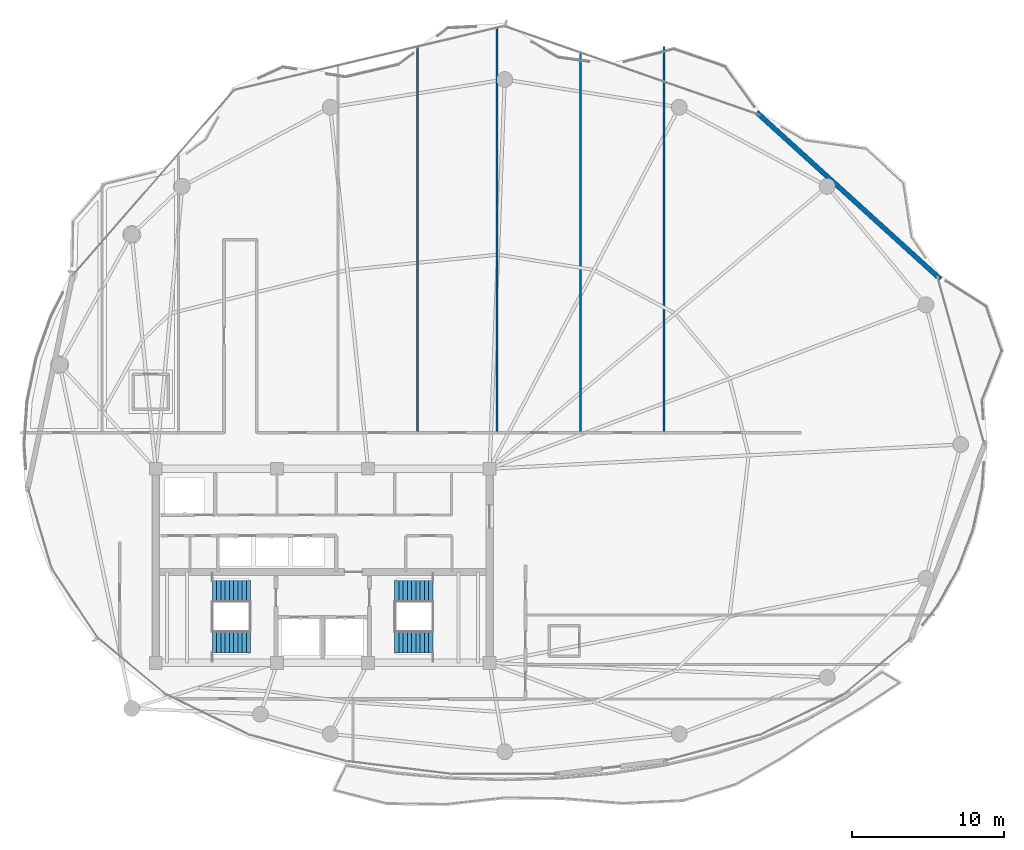
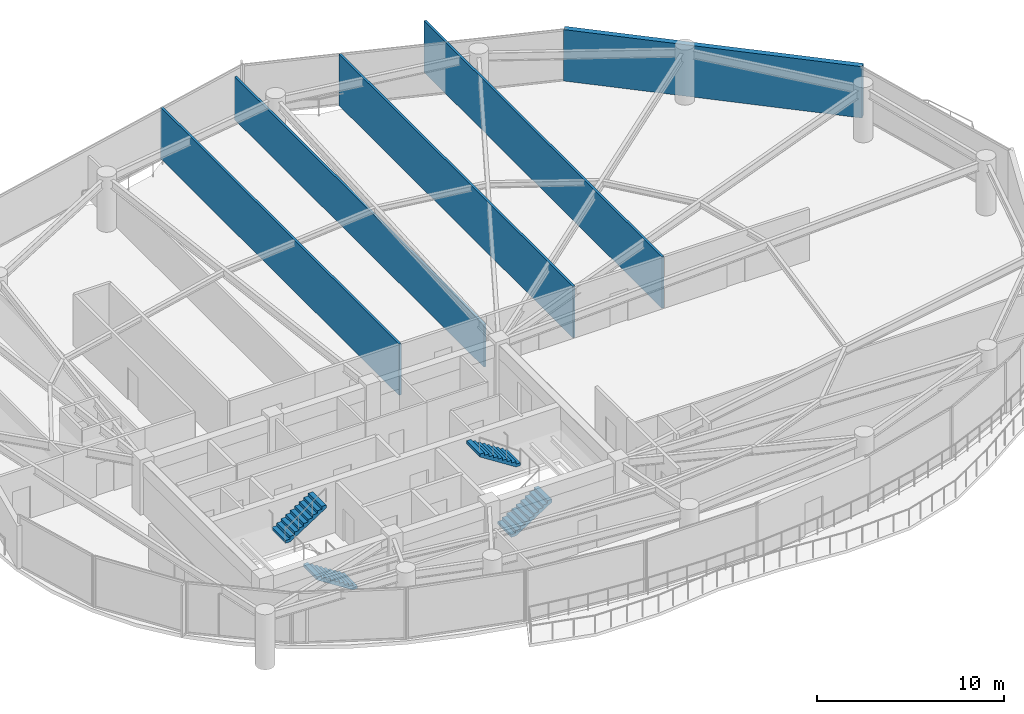
# One storey, part 25 of 29: 5 walls, 4 stair flights, 2 elements without a shape of their own.
"""IFC4 building model written with IfcOpenShell, lengths in metres."""

from ifc_helpers import new_model, si_unit, direction, frame, frame_2d, origin, place, context, subcontext, project, spatial, polyline, rectangle, outline, extrude, material, layer, layer_set, type_object, element, aggregate, save


model = new_model("IFC4")

# Units and contexts
model_context = context("Model", 3, precision=1e-05, world=origin(), true_north=direction((0.0, 1.0)))
body_context = subcontext(model_context, "Body", "Model", "MODEL_VIEW")
ifc_project = project(units=[si_unit("LENGTHUNIT", "METRE"), si_unit("AREAUNIT", "SQUARE_METRE"), si_unit("VOLUMEUNIT", "CUBIC_METRE"), si_unit("PLANEANGLEUNIT", "RADIAN"), si_unit("MASSUNIT", "GRAM", prefix="KILO")], contexts=[model_context])

# Site, building, storey
site_placement = place(None, origin())
site = spatial("IfcSite", under=ifc_project, at=site_placement, CompositionType="ELEMENT")
building_placement = place(site_placement, origin())
building = spatial("IfcBuilding", under=site, at=building_placement, Name="Kazevale Care Tower and Concert Hall", CompositionType="ELEMENT")
storey_placement = place(building_placement, frame((0.0, 0.0, 213.60009765625)))
storey = spatial("IfcBuildingStorey", under=building, at=storey_placement, Name="L56", CompositionType="ELEMENT", Elevation=213.60009765625)

# Walls
ifc_material_1 = material(Name="Acoustic Gypsum on Steel Stud", Category="steel")
ifc_layer_1 = layer(ifc_material_1, 0.139892578125)
ifc_layer_set_1 = layer_set([ifc_layer_1], Name="Acoustic Gypsum on Steel Stud")
wall_type_1 = type_object("IfcWallType", Name="Acoustic Care & Suite Partition 140", PredefinedType="PARTITIONING", material=ifc_layer_set_1)
wall_1_placement = place(storey_placement, frame((39.25, 64.283935546875, 0.0), z_axis=(0.0, 0.0, 1.0), x_axis=(0.0, -1.0, 0.0)))
element("IfcWall", 1, at=wall_1_placement, inside=storey, type_object=wall_type_1, Name="wall:L56:auto_023", PredefinedType="PARTITIONING", context=body_context, shape_type="SweptSolid", body=[
    extrude(rectangle(XDim=25.538818359375, YDim=0.139892578125, at=frame_2d((12.76953125, 0.0))), origin(), (0.0, 0.0, 1.0), 3.35986328125),
])
wall_2_placement = place(storey_placement, frame((44.5, 65.450439453125, 0.0), z_axis=(0.0, 0.0, 1.0), x_axis=(0.0, -1.0, 0.0)))
element("IfcWall", 2, at=wall_2_placement, inside=storey, type_object=wall_type_1, Name="wall:L56:auto_024", PredefinedType="PARTITIONING", context=body_context, shape_type="SweptSolid", body=[
    extrude(rectangle(XDim=26.705322265625, YDim=0.139892578125, at=frame_2d((13.3525390625, 0.0))), origin(), (0.0, 0.0, 1.0), 2.805908203125),
])
wall_3_placement = place(storey_placement, frame((50.0, 63.802490234375, 0.0), z_axis=(0.0, 0.0, 1.0), x_axis=(0.0, -1.0, 0.0)))
element("IfcWall", 3, at=wall_3_placement, inside=storey, type_object=wall_type_1, Name="wall:L56:auto_025", PredefinedType="PARTITIONING", context=body_context, shape_type="SweptSolid", body=[
    extrude(rectangle(XDim=25.057373046875, YDim=0.139892578125, at=frame_2d((12.52880859375, 0.0))), origin(), (0.0, 0.0, 1.0), 3.35986328125),
])
wall_4_placement = place(storey_placement, frame((55.5, 64.221923828125, 0.0), z_axis=(0.0, 0.0, 1.0), x_axis=(0.0, -1.0, 0.0)))
element("IfcWall", 4, at=wall_4_placement, inside=storey, type_object=wall_type_1, Name="wall:L56:auto_026", PredefinedType="PARTITIONING", context=body_context, shape_type="SweptSolid", body=[
    extrude(rectangle(XDim=25.476806640625, YDim=0.139892578125, at=frame_2d((12.73828125, 0.0))), origin(), (0.0, 0.0, 1.0), 3.35986328125),
])
ifc_material_2 = material(Name="Concrete C40 with Honed Limestone Cladding", Category="masonry")
ifc_layer_2 = layer(ifc_material_2, 0.320068359375)
ifc_layer_set_2 = layer_set([ifc_layer_2], Name="Concrete C40 with Honed Limestone Cladding")
wall_type_2 = type_object("IfcWallType", Name="Tower Honed Limestone Spandrel Wall 320", PredefinedType="STANDARD", material=ifc_layer_set_2)
wall_5_placement = place(storey_placement, frame((61.60205078125, 59.884033203125, 0.0), z_axis=(0.0, 0.0, 1.0), x_axis=(0.740416582554, -0.672148260638, 0.0)))
element("IfcWall", 5, at=wall_5_placement, inside=storey, type_object=wall_type_2, Name="wall:cw:L56:f17", PredefinedType="STANDARD", context=body_context, shape_type="SweptSolid", body=[
    extrude(rectangle(XDim=16.361083984375, YDim=0.320068359375, at=frame_2d((8.1806640625, 0.0))), origin(), (0.0, 0.0, 1.0), 3.35986328125),
])

# Stair, stair flights
ifc_material_3 = material(Name="Concrete C40", Category="concrete")
stair_type = type_object("IfcStairType", Name="Exit Stair Assembly ST1-Z3", PredefinedType="HALF_TURN_STAIR", material=ifc_material_3)
stair_1_placement = place(storey_placement, origin())
stair_1 = element("IfcStair", 6, at=stair_1_placement, inside=storey, type_object=stair_type, Name="stair:L56:ST1", PredefinedType="HALF_TURN_STAIR")
ifc_layer_3 = layer(ifc_material_3, 0.159912109375)
ifc_layer_set_3 = layer_set([ifc_layer_3], Name="Concrete C40")
stair_flight_type = type_object("IfcStairFlightType", Name="Exit Stair Flight ST1-Z3", PredefinedType="STRAIGHT", material=ifc_layer_set_3)
stair_flight_1_placement = place(storey_placement, frame((28.25, 24.97509765625, 0.0), z_axis=(0.0, 0.0, 1.0), x_axis=(-1.0, 0.0, 0.0)))
stair_flight_1 = element("IfcStairFlight", 7, at=stair_flight_1_placement, type_object=stair_flight_type, Name="ST1-Z3 flight 1", NumberOfRisers=10, NumberOfTreads=9, PredefinedType="STRAIGHT", RiserHeight=0.18, TreadLength=0.28, context=body_context, shape_type="SweptSolid", body=[
    extrude(outline(polyline([(0.0, 0.0), (0.0, 0.179931640625), (0.280029296875, 0.179931640625), (0.280029296875, 0.360107421875), (0.56005859375, 0.360107421875), (0.56005859375, 0.5400390625), (0.840087890625, 0.5400390625), (0.840087890625, 0.719970703125), (1.1201171875, 0.719970703125), (1.1201171875, 0.89990234375), (1.39990234375, 0.89990234375), (1.39990234375, 1.080078125), (1.679931640625, 1.080078125), (1.679931640625, 1.260009765625), (1.9599609375, 1.260009765625), (1.9599609375, 1.43994140625), (2.239990234375, 1.43994140625), (2.239990234375, 1.6201171875), (2.52001953125, 1.6201171875), (2.52001953125, 1.800048828125), (2.52001953125, 1.429931640625), (0.295654296875, 0.0), (0.0, 0.0)])), frame((0.0, 0.72509765625, 0.0), z_axis=(0.0, -1.0, 0.0), x_axis=(1.0, 0.0, 0.0)), (0.0, 0.0, 1.0), 1.449951171875),
])
stair_flight_2_placement = place(storey_placement, frame((25.72998046875, 28.324951171875, 1.7998046875), z_axis=(0.0, 0.0, 1.0), x_axis=(1.0, 0.0, 0.0)))
stair_flight_2 = element("IfcStairFlight", 8, at=stair_flight_2_placement, type_object=stair_flight_type, Name="ST1-Z3 flight 2", NumberOfRisers=10, NumberOfTreads=9, PredefinedType="STRAIGHT", RiserHeight=0.18, TreadLength=0.28, context=body_context, shape_type="SweptSolid", body=[
    extrude(outline(polyline([(0.0, 0.0), (0.0, 0.179931640625), (0.280029296875, 0.179931640625), (0.280029296875, 0.360107421875), (0.56005859375, 0.360107421875), (0.56005859375, 0.5400390625), (0.840087890625, 0.5400390625), (0.840087890625, 0.719970703125), (1.1201171875, 0.719970703125), (1.1201171875, 0.89990234375), (1.39990234375, 0.89990234375), (1.39990234375, 1.080078125), (1.679931640625, 1.080078125), (1.679931640625, 1.260009765625), (1.9599609375, 1.260009765625), (1.9599609375, 1.43994140625), (2.239990234375, 1.43994140625), (2.239990234375, 1.6201171875), (2.52001953125, 1.6201171875), (2.52001953125, 1.800048828125), (2.52001953125, 1.429931640625), (0.295654296875, 0.0), (0.0, 0.0)])), frame((0.0, 0.72509765625, 0.0), z_axis=(0.0, -1.0, 0.0), x_axis=(1.0, 0.0, 0.0)), (0.0, 0.0, 1.0), 1.449951171875),
])
aggregate(stair_1, [stair_flight_1, stair_flight_2])

stair_2_placement = place(storey_placement, origin())
stair_2 = element("IfcStair", 9, at=stair_2_placement, inside=storey, type_object=stair_type, Name="stair:L56:ST2", PredefinedType="HALF_TURN_STAIR")
stair_flight_3_placement = place(storey_placement, frame((37.75, 24.97509765625, 0.0), z_axis=(0.0, 0.0, 1.0), x_axis=(1.0, 0.0, 0.0)))
stair_flight_3 = element("IfcStairFlight", 10, at=stair_flight_3_placement, type_object=stair_flight_type, Name="ST1-Z3 flight 1", NumberOfRisers=10, NumberOfTreads=9, PredefinedType="STRAIGHT", RiserHeight=0.18, TreadLength=0.28, context=body_context, shape_type="SweptSolid", body=[
    extrude(outline(polyline([(0.0, 0.0), (0.0, 0.179931640625), (0.280029296875, 0.179931640625), (0.280029296875, 0.360107421875), (0.56005859375, 0.360107421875), (0.56005859375, 0.5400390625), (0.840087890625, 0.5400390625), (0.840087890625, 0.719970703125), (1.1201171875, 0.719970703125), (1.1201171875, 0.89990234375), (1.39990234375, 0.89990234375), (1.39990234375, 1.080078125), (1.679931640625, 1.080078125), (1.679931640625, 1.260009765625), (1.9599609375, 1.260009765625), (1.9599609375, 1.43994140625), (2.239990234375, 1.43994140625), (2.239990234375, 1.6201171875), (2.52001953125, 1.6201171875), (2.52001953125, 1.800048828125), (2.52001953125, 1.429931640625), (0.295654296875, 0.0), (0.0, 0.0)])), frame((0.0, 0.72509765625, 0.0), z_axis=(0.0, -1.0, 0.0), x_axis=(1.0, 0.0, 0.0)), (0.0, 0.0, 1.0), 1.449951171875),
])
stair_flight_4_placement = place(storey_placement, frame((40.27001953125, 28.324951171875, 1.7998046875), z_axis=(0.0, 0.0, 1.0), x_axis=(-1.0, 0.0, 0.0)))
stair_flight_4 = element("IfcStairFlight", 11, at=stair_flight_4_placement, type_object=stair_flight_type, Name="ST1-Z3 flight 2", NumberOfRisers=10, NumberOfTreads=9, PredefinedType="STRAIGHT", RiserHeight=0.18, TreadLength=0.28, context=body_context, shape_type="SweptSolid", body=[
    extrude(outline(polyline([(0.0, 0.0), (0.0, 0.179931640625), (0.280029296875, 0.179931640625), (0.280029296875, 0.360107421875), (0.56005859375, 0.360107421875), (0.56005859375, 0.5400390625), (0.840087890625, 0.5400390625), (0.840087890625, 0.719970703125), (1.1201171875, 0.719970703125), (1.1201171875, 0.89990234375), (1.39990234375, 0.89990234375), (1.39990234375, 1.080078125), (1.679931640625, 1.080078125), (1.679931640625, 1.260009765625), (1.9599609375, 1.260009765625), (1.9599609375, 1.43994140625), (2.239990234375, 1.43994140625), (2.239990234375, 1.6201171875), (2.52001953125, 1.6201171875), (2.52001953125, 1.800048828125), (2.52001953125, 1.429931640625), (0.295654296875, 0.0), (0.0, 0.0)])), frame((0.0, 0.72509765625, 0.0), z_axis=(0.0, -1.0, 0.0), x_axis=(1.0, 0.0, 0.0)), (0.0, 0.0, 1.0), 1.449951171875),
])
aggregate(stair_2, [stair_flight_3, stair_flight_4])

save(model, "model.ifc")
